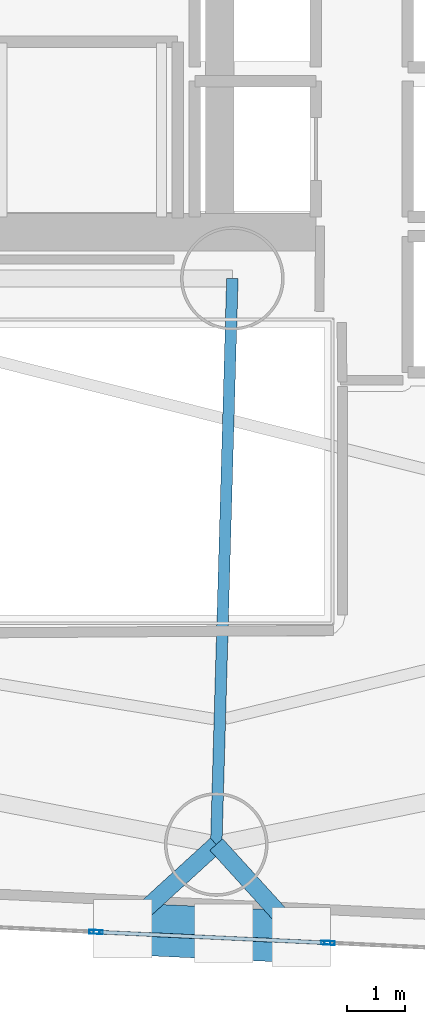
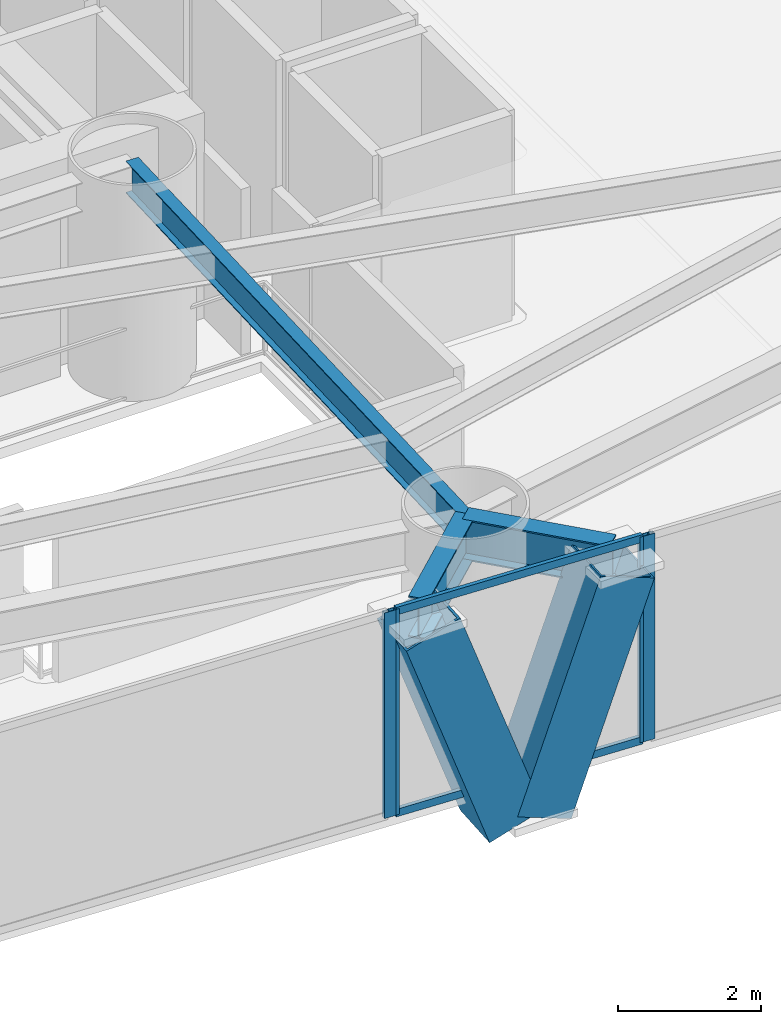
# One storey, part 5 of 23: 8 members, 3 beams, 3 elements without a shape of their own.
"""IFC4 building model written with IfcOpenShell, lengths in metres."""

from ifc_helpers import new_model, si_unit, direction, frame, origin, origin_2d, place, context, subcontext, project, spatial, hollow_rectangle, i_section, extrude, material, layer, layer_set, material_profile, profile_set, type_object, element, aggregate, save


model = new_model("IFC4")

# Units and contexts
model_context = context("Model", 3, precision=1e-05, world=origin(), true_north=direction((0.0, 1.0)))
body_context = subcontext(model_context, "Body", "Model", "MODEL_VIEW")
ifc_project = project(units=[si_unit("LENGTHUNIT", "METRE"), si_unit("AREAUNIT", "SQUARE_METRE"), si_unit("VOLUMEUNIT", "CUBIC_METRE"), si_unit("PLANEANGLEUNIT", "RADIAN"), si_unit("MASSUNIT", "GRAM", prefix="KILO")], contexts=[model_context])

# Site, building, storey
site_placement = place(None, origin())
site = spatial("IfcSite", under=ifc_project, at=site_placement, CompositionType="ELEMENT")
building_placement = place(site_placement, origin())
building = spatial("IfcBuilding", under=site, at=building_placement, Name="Qianvela Tower", CompositionType="ELEMENT")
storey_placement = place(building_placement, frame((0.0, 0.0, 33.10009765625)))
storey = spatial("IfcBuildingStorey", under=building, at=storey_placement, Name="L07", CompositionType="ELEMENT", Elevation=33.10009765625)

# Beams
ifc_material_1 = material(Name="Steel Q355B", Category="steel")
ifc_material_profile_1 = material_profile(ifc_material_1, i_section(OverallWidth=0.199951171875, OverallDepth=0.550048828125, WebThickness=0.010009765625, FlangeThickness=0.01611328125, at=origin_2d()), Name="HN550x200x10x16")
ifc_profile_set_1 = profile_set([ifc_material_profile_1], Name="Steel Q355B")
beam_type_1 = type_object("IfcBeamType", Name="BM-HN550-GIRD", PredefinedType="BEAM", material=ifc_profile_set_1)
beam_placement = place(storey_placement, frame((38.39990234375, 23.85009765625, 3.242919921875), z_axis=(-0.028439336302, -0.999595520273, 0.0), x_axis=(0.999595520273, -0.028439336302, 0.0)))
element("IfcBeam", 1, at=beam_placement, inside=storey, type_object=beam_type_1, Name="L07 Radial Primary Floor Girder 6", PredefinedType="BEAM", context=body_context, shape_type="SweptSolid", body=[
    extrude(i_section(OverallWidth=0.199951171875, OverallDepth=0.550048828125, WebThickness=0.010009765625, FlangeThickness=0.01611328125, at=origin_2d()), origin(), (0.0, 0.0, 1.0), 9.837890625),
])
ifc_material_2 = material(Name="Steel Q355B", Category="steel")
ifc_material_profile_2 = material_profile(ifc_material_2, i_section(OverallWidth=0.300048828125, OverallDepth=0.699951171875, WebThickness=0.012939453125, FlangeThickness=0.02392578125, at=origin_2d()), Name="HN700x300x13x24")
ifc_profile_set_2 = profile_set([ifc_material_profile_2], Name="Steel Q355B")
beam_type_2 = type_object("IfcBeamType", Name="BM-HN700-SPAND", PredefinedType="SPANDREL", material=ifc_profile_set_2)
for number, where, z_axis, x_axis, name in (
    (2, (38.1201171875, 14.01611328125, 3.16796875), (-0.738655955618, -0.674082620478, 0.0), (0.674082620478, -0.738655955618, 0.0), "L07 Mega-Brace Column Tie Bracket F3-1"),
    (3, (38.1201171875, 14.01611328125, 3.16796875), (0.672196686786, -0.740372618533, 0.0), (0.740372618533, 0.672196686786, 0.0), "L07 Mega-Brace Column Tie Bracket F3-2"),
):
    element("IfcBeam", number, at=place(storey_placement, frame(where, z_axis=z_axis, x_axis=x_axis)), inside=storey, type_object=beam_type_2, Name=name, PredefinedType="SPANDREL", context=body_context, shape_type="SweptSolid", body=[
        extrude(i_section(OverallWidth=0.300048828125, OverallDepth=0.699951171875, WebThickness=0.012939453125, FlangeThickness=0.02392578125, at=origin_2d()), origin(), (0.0, 0.0, 1.0), 2.170166015625),
    ])

# Curtain wall, members
ifc_material_3 = material(Name="Anodised Architectural Aluminium and Insulated Spandrel Panel", Category="aluminium")
ifc_layer_1 = layer(ifc_material_3, 0.179931640625)
ifc_layer_set_1 = layer_set([ifc_layer_1], Name="Anodised Architectural Aluminium and Insulated Spandrel Panel")
curtain_wall_type_1 = type_object("IfcCurtainWallType", Name="CW-BRACEBAY", PredefinedType="USERDEFINED", material=ifc_layer_set_1)
curtain_wall_1_placement = place(storey_placement, origin())
curtain_wall_1 = element("IfcCurtainWall", 4, at=curtain_wall_1_placement, inside=storey, type_object=curtain_wall_type_1, Name="L07 CW-BRACEBAY Curtain Wall 06B", ObjectType="CURTAIN_WALL_SYSTEM", PredefinedType="USERDEFINED")
ifc_material_4 = material(Name="Anodised Architectural Aluminium 6063-T6", Category="aluminium")
ifc_material_profile_3 = material_profile(ifc_material_4, hollow_rectangle(XDim=0.06494140625, YDim=0.159912109375, WallThickness=0.0048828125, at=origin_2d()), Name="ALU-MULL-65x160")
ifc_profile_set_3 = profile_set([ifc_material_profile_3], Name="Anodised Architectural Aluminium 6063-T6")
member_type_1 = type_object("IfcMemberType", Name="CW-BRACEBAY-MULL", PredefinedType="MULLION", material=ifc_profile_set_3)
member_1_placement = place(storey_placement, frame((36.07080078125, 12.494140625, 0.0), z_axis=(0.0, 0.0, 1.0), x_axis=(0.046890292501, 0.998900045284, 0.0)))
member_1 = element("IfcMember", 5, at=member_1_placement, type_object=member_type_1, Name="CW-9 mullion 1", PredefinedType="MULLION", context=body_context, shape_type="SweptSolid", body=[
    extrude(hollow_rectangle(XDim=0.06494140625, YDim=0.159912109375, WallThickness=0.0048828125, at=origin_2d()), origin(), (0.0, 0.0, 1.0), 3.52001953125),
])
member_2_placement = place(storey_placement, frame((40.021484375, 12.30859375, 0.0), z_axis=(0.0, 0.0, 1.0), x_axis=(0.046890292501, 0.998900045284, 0.0)))
member_2 = element("IfcMember", 6, at=member_2_placement, type_object=member_type_1, Name="CW-9 mullion 2", PredefinedType="MULLION", context=body_context, shape_type="SweptSolid", body=[
    extrude(hollow_rectangle(XDim=0.06494140625, YDim=0.159912109375, WallThickness=0.0048828125, at=origin_2d()), origin(), (0.0, 0.0, 1.0), 3.52001953125),
])
ifc_material_5 = material(Name="Anodised Architectural Aluminium 6063-T6", Category="aluminium")
ifc_material_profile_4 = material_profile(ifc_material_5, hollow_rectangle(XDim=0.06494140625, YDim=0.1298828125, WallThickness=0.00439453125, at=origin_2d()), Name="ALU-TRAN-65x130")
ifc_profile_set_4 = profile_set([ifc_material_profile_4], Name="Anodised Architectural Aluminium 6063-T6")
member_type_2 = type_object("IfcMemberType", Name="CW-BRACEBAY-TRAN", PredefinedType="USERDEFINED", material=ifc_profile_set_4)
member_3_placement = place(storey_placement, frame((36.103271484375, 12.492431640625, 0.032470703125), z_axis=(0.99890042065, -0.04688229544, 0.0), x_axis=(0.04688229544, 0.99890042065, 0.0)))
member_3 = element("IfcMember", 7, at=member_3_placement, type_object=member_type_2, Name="CW-9 transom 1.1", ObjectType="TRANSOM", PredefinedType="USERDEFINED", context=body_context, shape_type="SweptSolid", body=[
    extrude(hollow_rectangle(XDim=0.06494140625, YDim=0.1298828125, WallThickness=0.00439453125, at=origin_2d()), origin(), (0.0, 0.0, 1.0), 3.89013671875),
])
member_4_placement = place(storey_placement, frame((36.103271484375, 12.492431640625, 3.4873046875), z_axis=(0.99890042065, -0.04688229544, 0.0), x_axis=(0.04688229544, 0.99890042065, 0.0)))
member_4 = element("IfcMember", 8, at=member_4_placement, type_object=member_type_2, Name="CW-9 transom 1.2", ObjectType="TRANSOM", PredefinedType="USERDEFINED", context=body_context, shape_type="SweptSolid", body=[
    extrude(hollow_rectangle(XDim=0.06494140625, YDim=0.1298828125, WallThickness=0.00439453125, at=origin_2d()), origin(), (0.0, 0.0, 1.0), 3.89013671875),
])
aggregate(curtain_wall_1, [member_1, member_2, member_3, member_4])

# Curtain wall, member
ifc_material_6 = material(Name="Anodised Architectural Aluminium and Low-E Glass", Category="aluminium")
ifc_layer_2 = layer(ifc_material_6, 0.179931640625)
ifc_layer_set_2 = layer_set([ifc_layer_2], Name="Anodised Architectural Aluminium and Low-E Glass")
curtain_wall_type_2 = type_object("IfcCurtainWallType", Name="CW-COLIV-Z12", PredefinedType="USERDEFINED", material=ifc_layer_set_2)
curtain_wall_2_placement = place(storey_placement, origin())
curtain_wall_2 = element("IfcCurtainWall", 9, at=curtain_wall_2_placement, inside=storey, type_object=curtain_wall_type_2, Name="L07 CW-COLIV-Z12 Curtain Wall 06A", ObjectType="CURTAIN_WALL_SYSTEM", PredefinedType="USERDEFINED")
ifc_material_7 = material(Name="Anodised Architectural Aluminium 6063-T6", Category="aluminium")
ifc_material_profile_5 = material_profile(ifc_material_7, hollow_rectangle(XDim=0.070068359375, YDim=0.179931640625, WallThickness=0.0048828125, at=origin_2d()), Name="ALU-MULL-70x180")
ifc_profile_set_5 = profile_set([ifc_material_profile_5], Name="Anodised Architectural Aluminium 6063-T6")
member_type_3 = type_object("IfcMemberType", Name="CW-COLIV-Z12-MULL", PredefinedType="MULLION", material=ifc_profile_set_5)
member_5_placement = place(storey_placement, frame((36.00341796875, 12.497314453125, 0.0), z_axis=(0.0, 0.0, 1.0), x_axis=(0.04688011233, 0.998900523109, 0.0)))
member_5 = element("IfcMember", 10, at=member_5_placement, type_object=member_type_3, Name="CW-3 mullion 2", PredefinedType="MULLION", context=body_context, shape_type="SweptSolid", body=[
    extrude(hollow_rectangle(XDim=0.070068359375, YDim=0.179931640625, WallThickness=0.0048828125, at=origin_2d()), origin(), (0.0, 0.0, 1.0), 3.52001953125),
])
aggregate(curtain_wall_2, [member_5])

curtain_wall_3_placement = place(storey_placement, origin())
curtain_wall_3 = element("IfcCurtainWall", 11, at=curtain_wall_3_placement, inside=storey, type_object=curtain_wall_type_2, Name="L07 CW-COLIV-Z12 Curtain Wall 06C", ObjectType="CURTAIN_WALL_SYSTEM", PredefinedType="USERDEFINED")
member_6_placement = place(storey_placement, frame((40.0888671875, 12.305419921875, 0.0), z_axis=(0.0, 0.0, 1.0), x_axis=(0.046882894011, 0.998900392556, 0.0)))
member_6 = element("IfcMember", 12, at=member_6_placement, type_object=member_type_3, Name="CW-3 mullion 1", PredefinedType="MULLION", context=body_context, shape_type="SweptSolid", body=[
    extrude(hollow_rectangle(XDim=0.070068359375, YDim=0.179931640625, WallThickness=0.0048828125, at=origin_2d()), origin(), (0.0, 0.0, 1.0), 3.52001953125),
])
aggregate(curtain_wall_3, [member_6])

# Members
ifc_material_8 = material(Name="Steel Q420GJC", Category="steel")
ifc_material_profile_6 = material_profile(ifc_material_8, hollow_rectangle(XDim=0.89990234375, YDim=0.89990234375, WallThickness=0.035888671875, at=origin_2d()), Name="MBOX-900x900x36")
ifc_profile_set_6 = profile_set([ifc_material_profile_6], Name="Steel Q420GJC")
member_type_4 = type_object("IfcMemberType", Name="MBR-MBRACE-900", PredefinedType="BRACE", material=ifc_profile_set_6)
member_7_placement = place(storey_placement, frame((37.828125, 12.49169921875, -0.531982421875), z_axis=(-0.333950039015, 0.015671398479, 0.942460491857), x_axis=(-0.046875788261, -0.998900726036, 0.0)))
element("IfcMember", 13, at=member_7_placement, inside=storey, type_object=member_type_4, Name="L07 Tier 1 Exterior Mega-Brace F3A", PredefinedType="BRACE", context=body_context, shape_type="SweptSolid", body=[
    extrude(hollow_rectangle(XDim=0.89990234375, YDim=0.89990234375, WallThickness=0.035888671875, at=origin_2d()), origin(), (0.0, 0.0, 1.0), 3.92578125),
])
member_8_placement = place(storey_placement, frame((38.267578125, 12.470947265625, -0.531982421875), z_axis=(0.334005290004, -0.015671073, 0.942440917894), x_axis=(0.046867079861, 0.99890113466, 0.0)))
element("IfcMember", 14, at=member_8_placement, inside=storey, type_object=member_type_4, Name="L07 Tier 1 Exterior Mega-Brace F3B", PredefinedType="BRACE", context=body_context, shape_type="SweptSolid", body=[
    extrude(hollow_rectangle(XDim=0.89990234375, YDim=0.89990234375, WallThickness=0.035888671875, at=origin_2d()), origin(), (0.0, 0.0, 1.0), 3.926025390625),
])

save(model, "model.ifc")
